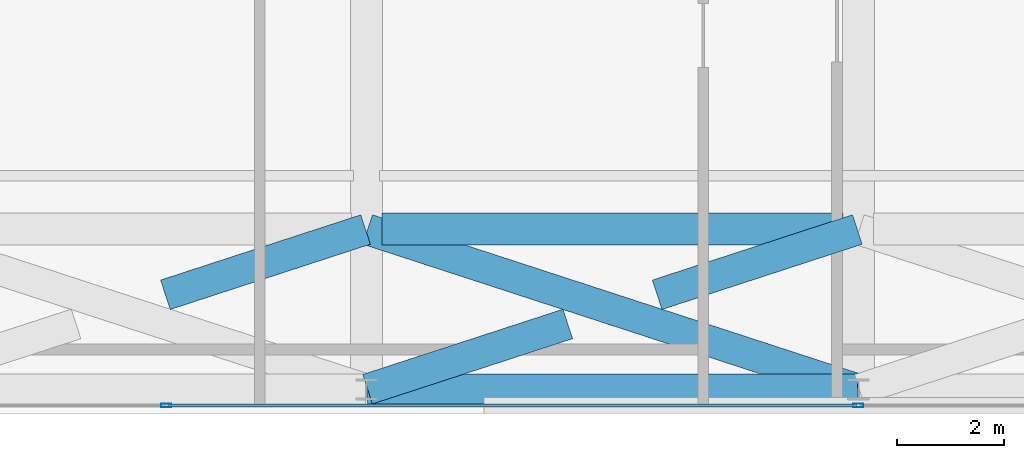
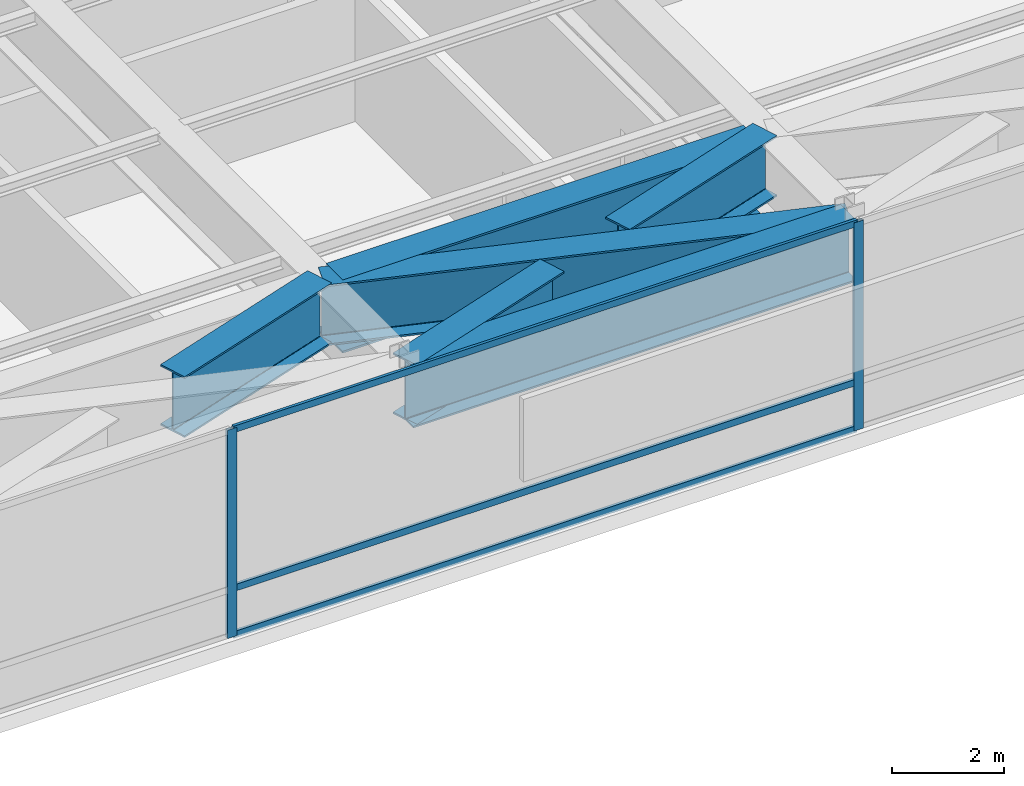
# One storey, part 8 of 32: 6 beams, 5 members, 1 element without a shape of its own.
"""IFC4 building model written with IfcOpenShell, lengths in metres."""

from ifc_helpers import new_model, si_unit, direction, frame, origin, origin_2d, place, context, subcontext, project, spatial, hollow_rectangle, i_section, extrude, source, transform, mapped, material, layer, layer_set, material_profile, profile_set, type_object, type_shapes, element, aggregate, save


model = new_model("IFC4")

# Units and contexts
model_context = context("Model", 3, precision=1e-05, world=origin(), true_north=direction((0.0, 1.0)))
body_context = subcontext(model_context, "Body", "Model", "MODEL_VIEW")
ifc_project = project(units=[si_unit("LENGTHUNIT", "METRE"), si_unit("AREAUNIT", "SQUARE_METRE"), si_unit("VOLUMEUNIT", "CUBIC_METRE"), si_unit("PLANEANGLEUNIT", "RADIAN"), si_unit("MASSUNIT", "GRAM", prefix="KILO")], contexts=[model_context])

# Site, building, storey
site_placement = place(None, origin())
site = spatial("IfcSite", under=ifc_project, at=site_placement, CompositionType="ELEMENT")
building_placement = place(site_placement, origin())
building = spatial("IfcBuilding", under=site, at=building_placement, Name="Varnel Quay Broadcast Tower", CompositionType="ELEMENT")
storey_placement = place(building_placement, frame((0.0, 0.0, 141.0)))
storey = spatial("IfcBuildingStorey", under=building, at=storey_placement, Name="L34", CompositionType="ELEMENT", Elevation=141.0)

# Beams
ifc_material_1 = material(Name="Structural Steel CSA G40.21 350WT", Category="steel")
ifc_material_profile_1 = material_profile(ifc_material_1, i_section(OverallWidth=0.580078125, OverallDepth=1.330078125, WebThickness=0.02197265625, FlangeThickness=0.0380859375, FilletRadius=0.02001953125, at=origin_2d()), Name="WWF1330X535")
ifc_profile_set_1 = profile_set([ifc_material_profile_1], Name="Structural Steel CSA G40.21 350WT")
beam_type_1 = type_object("IfcBeamType", Name="Girder_WWF1330X535", PredefinedType="BEAM", material=ifc_profile_set_1)
shared_shape_1 = source(origin(), body_context, "Body", "SweptSolid", [
    extrude(i_section(OverallWidth=0.580078125, OverallDepth=1.330078125, WebThickness=0.02197265625, FlangeThickness=0.0380859375, FilletRadius=0.02001953125, at=origin_2d()), origin(), (0.0, 0.0, 1.0), 9.159912109375),
])
beam_1_placement = place(storey_placement, frame((24.820068359375, 4.64990234375, 3.885009765625), z_axis=(1.0, 0.0, 0.0), x_axis=(0.0, 1.0, 0.0)))
element("IfcBeam", 1, at=beam_1_placement, inside=storey, type_object=beam_type_1, Name="L34 Perimeter Transfer Spine TC-S2-TC-S3", PredefinedType="BEAM", context=body_context, shape_type="MappedRepresentation", body=[
    mapped(shared_shape_1, transform((0.0, 0.0, 0.0), x_axis=(1.0, 0.0, 0.0), y_axis=(0.0, 1.0, 0.0), z_axis=(0.0, 0.0, 1.0), scale=1.0)),
])
ifc_material_profile_2 = material_profile(ifc_material_1, i_section(OverallWidth=0.60009765625, OverallDepth=1.60009765625, WebThickness=0.02392578125, FlangeThickness=0.0419921875, FilletRadius=0.02197265625, at=origin_2d()), Name="WWF1600X620")
ifc_profile_set_2 = profile_set([ifc_material_profile_2], Name="Structural Steel CSA G40.21 350WT")
beam_type_2 = type_object("IfcBeamType", Name="Girder_WWF1600X620", PredefinedType="BEAM", material=ifc_profile_set_2)
shared_shape_2 = source(origin(), body_context, "Body", "SweptSolid", [
    extrude(i_section(OverallWidth=0.60009765625, OverallDepth=1.60009765625, WebThickness=0.02392578125, FlangeThickness=0.0419921875, FilletRadius=0.02197265625, at=origin_2d()), origin(), (0.0, 0.0, 1.0), 8.630126953125),
])
type_shapes(beam_type_2, [shared_shape_2])
beam_2_placement = place(storey_placement, frame((25.0849609375, 7.64990234375, 3.75), z_axis=(1.0, 0.0, 0.0), x_axis=(0.0, 1.0, 0.0)))
element("IfcBeam", 2, at=beam_2_placement, inside=storey, type_object=beam_type_2, Name="L34 Setback South Transfer Header 3", PredefinedType="BEAM", context=body_context, shape_type="MappedRepresentation", body=[
    mapped(shared_shape_2, transform((0.0, 0.0, 0.0), x_axis=(1.0, 0.0, 0.0), y_axis=(0.0, 1.0, 0.0), z_axis=(0.0, 0.0, 1.0), scale=1.0)),
])
shared_shape_3 = source(origin(), body_context, "Body", "SweptSolid", [
    extrude(i_section(OverallWidth=0.580078125, OverallDepth=1.330078125, WebThickness=0.02197265625, FlangeThickness=0.0380859375, FilletRadius=0.02001953125, at=origin_2d()), origin(), (0.0, 0.0, 1.0), 9.63671875),
])
beam_3_placement = place(storey_placement, frame((33.98095703125, 4.65625, 3.885009765625), z_axis=(-0.950730326475, 0.310019106379, 0.0), x_axis=(-0.310019106379, -0.950730326475, 0.0)))
element("IfcBeam", 3, at=beam_3_placement, inside=storey, type_object=beam_type_1, Name="L34 X-Braced Transfer Tie TC-S2-TC-S3", PredefinedType="BEAM", context=body_context, shape_type="MappedRepresentation", body=[
    mapped(shared_shape_3, transform((0.0, 0.0, 0.0), x_axis=(1.0, 0.0, 0.0), y_axis=(0.0, 1.0, 0.0), z_axis=(0.0, 0.0, 1.0), scale=1.0)),
])
shared_shape_4 = source(origin(), body_context, "Body", "SweptSolid", [
    extrude(i_section(OverallWidth=0.580078125, OverallDepth=1.330078125, WebThickness=0.02197265625, FlangeThickness=0.0380859375, FilletRadius=0.02001953125, at=origin_2d()), origin(), (0.0, 0.0, 1.0), 3.939453125),
])
for number, where, z_axis, x_axis, name in (
    (4, (21.03564453125, 6.422607421875, 3.885009765625), (0.950738972318, 0.309992591065, 0.0), (-0.309992591065, 0.950738972318, 0.0), "L34 X-Braced Transfer Tie TC-S2-TC-S1 Part 2"),
    (5, (30.235595703125, 6.422607421875, 3.885009765625), (0.950738972318, 0.309992591065, 0.0), (-0.309992591065, 0.950738972318, 0.0), "L34 X-Braced Transfer Tie TC-S3-TC-S2 Part 2"),
):
    element("IfcBeam", number, at=place(storey_placement, frame(where, z_axis=z_axis, x_axis=x_axis)), inside=storey, type_object=beam_type_1, Name=name, PredefinedType="BEAM", context=body_context, shape_type="MappedRepresentation", body=[
        mapped(shared_shape_4, transform((0.0, 0.0, 0.0), x_axis=(1.0, 0.0, 0.0), y_axis=(0.0, 1.0, 0.0), z_axis=(0.0, 0.0, 1.0), scale=1.0)),
    ])
shared_shape_5 = source(origin(), body_context, "Body", "SweptSolid", [
    extrude(i_section(OverallWidth=0.580078125, OverallDepth=1.330078125, WebThickness=0.02197265625, FlangeThickness=0.0380859375, FilletRadius=0.02001953125, at=origin_2d()), origin(), (0.0, 0.0, 1.0), 3.939208984375),
])
type_shapes(beam_type_1, [shared_shape_1, shared_shape_3, shared_shape_4, shared_shape_5])
beam_4_placement = place(storey_placement, frame((24.819091796875, 4.65625, 3.885009765625), z_axis=(0.950733016401, 0.310010857108, 0.0), x_axis=(-0.310010857108, 0.950733016401, 0.0)))
element("IfcBeam", 6, at=beam_4_placement, inside=storey, type_object=beam_type_1, Name="L34 X-Braced Transfer Tie TC-S3-TC-S2 Part 1", PredefinedType="BEAM", context=body_context, shape_type="MappedRepresentation", body=[
    mapped(shared_shape_5, transform((0.0, 0.0, 0.0), x_axis=(1.0, 0.0, 0.0), y_axis=(0.0, 1.0, 0.0), z_axis=(0.0, 0.0, 1.0), scale=1.0)),
])

# Curtain wall, members
ifc_material_2 = material(Name="Anodised Bronze Aluminium 6063-T6", Category="aluminium")
ifc_layer = layer(ifc_material_2, 0.18994140625, Name="Anodised Bronze Aluminium 6063-T6")
ifc_layer_set = layer_set([ifc_layer], Name="Anodised Bronze Aluminium 6063-T6")
curtain_wall_type = type_object("IfcCurtainWallType", Name="CW_LowerTower", PredefinedType="NOTDEFINED", material=ifc_layer_set)
curtain_wall_placement = place(storey_placement, origin())
curtain_wall = element("IfcCurtainWall", 7, at=curtain_wall_placement, inside=storey, type_object=curtain_wall_type, Name="L34 South Unitised Curtain Wall 1", PredefinedType="NOTDEFINED")
ifc_material_profile_3 = material_profile(ifc_material_2, hollow_rectangle(XDim=0.070068359375, YDim=0.18994140625, WallThickness=0.00390625, at=origin_2d()), Name="ALU70X190X4")
ifc_profile_set_3 = profile_set([ifc_material_profile_3], Name="Anodised Bronze Aluminium 6063-T6")
member_type_1 = type_object("IfcMemberType", Name="Mull_CWS-02", PredefinedType="MULLION", material=ifc_profile_set_3)
shared_shape_6 = source(origin(), body_context, "Body", "SweptSolid", [
    extrude(hollow_rectangle(XDim=0.070068359375, YDim=0.18994140625, WallThickness=0.00390625, at=origin_2d()), origin(), (0.0, 0.0, 1.0), 4.550048828125),
])
type_shapes(member_type_1, [shared_shape_6])
member_1_placement = place(storey_placement, frame((21.050048828125, 4.35009765625, 0.0), z_axis=(0.0, 0.0, 1.0), x_axis=(0.0, 1.0, 0.0)))
member_1 = element("IfcMember", 8, at=member_1_placement, type_object=member_type_1, Name="CWS-02 mullion 2", PredefinedType="MULLION", context=body_context, shape_type="MappedRepresentation", body=[
    mapped(shared_shape_6, transform((0.0, 0.0, 0.0), x_axis=(1.0, 0.0, 0.0), y_axis=(0.0, 1.0, 0.0), z_axis=(0.0, 0.0, 1.0), scale=1.0)),
])
member_2_placement = place(storey_placement, frame((34.0, 4.35009765625, 0.0), z_axis=(0.0, 0.0, 1.0), x_axis=(0.0, 1.0, 0.0)))
member_2 = element("IfcMember", 9, at=member_2_placement, type_object=member_type_1, Name="CWS-02 mullion 3", PredefinedType="MULLION", context=body_context, shape_type="MappedRepresentation", body=[
    mapped(shared_shape_6, transform((0.0, 0.0, 0.0), x_axis=(1.0, 0.0, 0.0), y_axis=(0.0, 1.0, 0.0), z_axis=(0.0, 0.0, 1.0), scale=1.0)),
])
ifc_material_profile_4 = material_profile(ifc_material_2, hollow_rectangle(XDim=0.06005859375, YDim=0.14501953125, WallThickness=0.00341796875, at=origin_2d()), Name="ALU60X145X3.5")
ifc_profile_set_4 = profile_set([ifc_material_profile_4], Name="Anodised Bronze Aluminium 6063-T6")
member_type_2 = type_object("IfcMemberType", Name="Tran_CWS-02", PredefinedType="USERDEFINED", material=ifc_profile_set_4)
shared_shape_7 = source(origin(), body_context, "Body", "SweptSolid", [
    extrude(hollow_rectangle(XDim=0.06005859375, YDim=0.14501953125, WallThickness=0.00341796875, at=origin_2d()), origin(), (0.0, 0.0, 1.0), 12.880126953125),
])
type_shapes(member_type_2, [shared_shape_7])
member_3_placement = place(storey_placement, frame((21.0849609375, 4.35009765625, 0.030029296875), z_axis=(1.0, 0.0, 0.0), x_axis=(0.0, 1.0, 0.0)))
member_3 = element("IfcMember", 10, at=member_3_placement, type_object=member_type_2, Name="CWS-02 transom 2.1", ObjectType="TRANSOM", PredefinedType="USERDEFINED", context=body_context, shape_type="MappedRepresentation", body=[
    mapped(shared_shape_7, transform((0.0, 0.0, 0.0), x_axis=(1.0, 0.0, 0.0), y_axis=(0.0, 1.0, 0.0), z_axis=(0.0, 0.0, 1.0), scale=1.0)),
])
member_4_placement = place(storey_placement, frame((21.0849609375, 4.35009765625, 1.050048828125), z_axis=(1.0, 0.0, 0.0), x_axis=(0.0, 1.0, 0.0)))
member_4 = element("IfcMember", 11, at=member_4_placement, type_object=member_type_2, Name="CWS-02 transom 2.2", ObjectType="TRANSOM", PredefinedType="USERDEFINED", context=body_context, shape_type="MappedRepresentation", body=[
    mapped(shared_shape_7, transform((0.0, 0.0, 0.0), x_axis=(1.0, 0.0, 0.0), y_axis=(0.0, 1.0, 0.0), z_axis=(0.0, 0.0, 1.0), scale=1.0)),
])
member_5_placement = place(storey_placement, frame((21.0849609375, 4.35009765625, 4.52001953125), z_axis=(1.0, 0.0, 0.0), x_axis=(0.0, 1.0, 0.0)))
member_5 = element("IfcMember", 12, at=member_5_placement, type_object=member_type_2, Name="CWS-02 transom 2.3", ObjectType="TRANSOM", PredefinedType="USERDEFINED", context=body_context, shape_type="MappedRepresentation", body=[
    mapped(shared_shape_7, transform((0.0, 0.0, 0.0), x_axis=(1.0, 0.0, 0.0), y_axis=(0.0, 1.0, 0.0), z_axis=(0.0, 0.0, 1.0), scale=1.0)),
])
aggregate(curtain_wall, [member_1, member_2, member_3, member_4, member_5])

save(model, "model.ifc")
